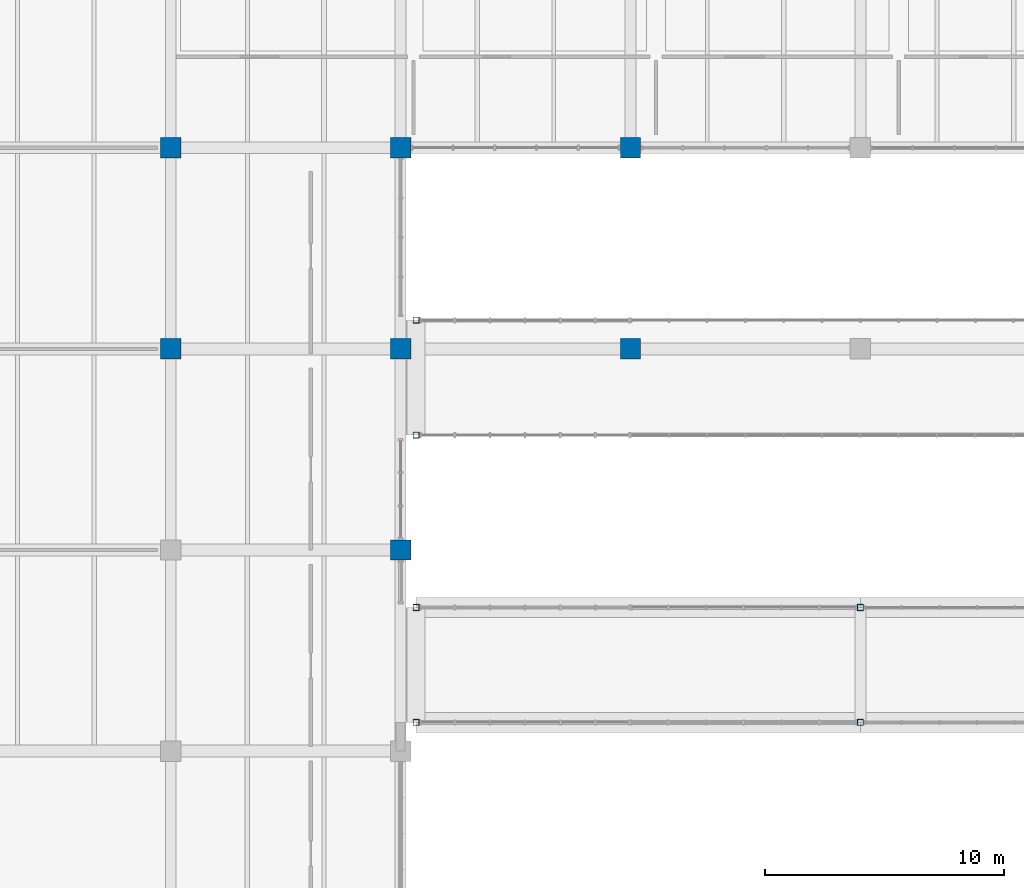
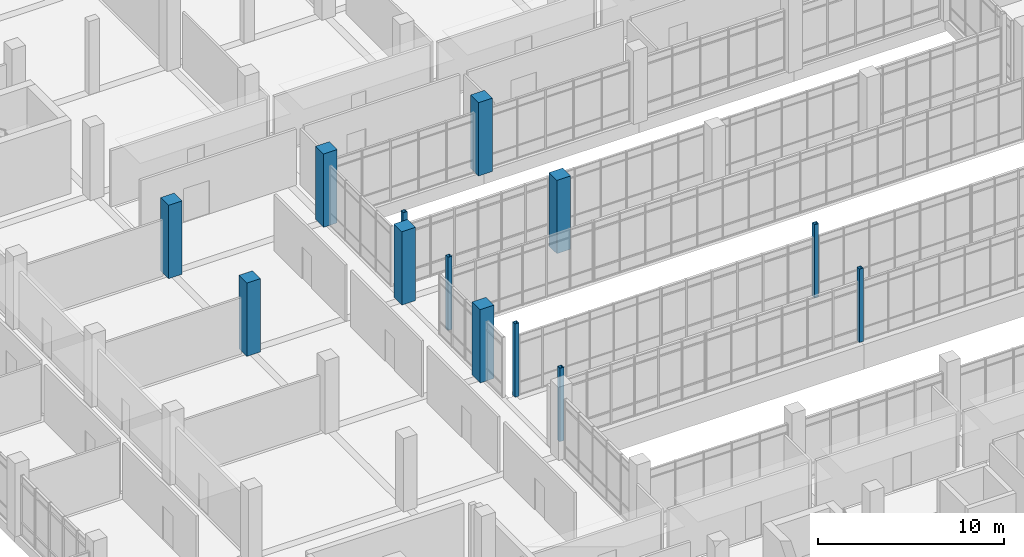
# One storey, part 4 of 152: 13 columns.
"""IFC4 building model written with IfcOpenShell, lengths in metres."""

from ifc_helpers import new_model, si_unit, direction, frame, origin, origin_2d, place, context, subcontext, project, spatial, rectangle, hollow_rectangle, extrude, material, material_profile, profile_set, type_object, element, save


model = new_model("IFC4")

# Units and contexts
model_context = context("Model", 3, precision=1e-05, world=origin(), true_north=direction((0.0, 1.0)))
body_context = subcontext(model_context, "Body", "Model", "MODEL_VIEW")
ifc_project = project(units=[si_unit("LENGTHUNIT", "METRE"), si_unit("AREAUNIT", "SQUARE_METRE"), si_unit("VOLUMEUNIT", "CUBIC_METRE"), si_unit("PLANEANGLEUNIT", "RADIAN"), si_unit("MASSUNIT", "GRAM", prefix="KILO")], contexts=[model_context])

# Site, building, storey
site_placement = place(None, origin())
site = spatial("IfcSite", under=ifc_project, at=site_placement, CompositionType="ELEMENT")
building_placement = place(site_placement, origin())
building = spatial("IfcBuilding", under=site, at=building_placement, Name="Oolite Switchyard Hospital", CompositionType="ELEMENT")
storey_placement = place(building_placement, frame((0.0, 0.0, 5.10009765625)))
storey = spatial("IfcBuildingStorey", under=building, at=storey_placement, Name="L01", CompositionType="ELEMENT", Elevation=5.10009765625)

# Columns
ifc_material_1 = material(Name="Steel ASTM A500 Grade C", Category="steel")
ifc_material_profile_1 = material_profile(ifc_material_1, hollow_rectangle(XDim=0.25390625, YDim=0.25390625, WallThickness=0.012939453125, at=origin_2d()), Name="HSS254X254X13")
ifc_profile_set_1 = profile_set([ifc_material_profile_1], Name="Steel ASTM A500 Grade C")
column_type_1 = type_object("IfcColumnType", Name="COL-HSS254", PredefinedType="COLUMN", material=ifc_profile_set_1)
for number, where, z_axis, x_axis, name in (
    (1, (144.64990234375, 34.800048828125, 0.0), (0.0, 0.0, 1.0), (1.0, 0.0, 0.0), "L01 Column 539"),
    (2, (144.64990234375, 39.60009765625, 0.0), (0.0, 0.0, 1.0), (1.0, 0.0, 0.0), "L01 Column 540"),
    (3, (144.64990234375, 46.800048828125, 0.0), (0.0, 0.0, 1.0), (1.0, 0.0, 0.0), "L01 Column 541"),
    (4, (144.64990234375, 51.60009765625, 0.0), (0.0, 0.0, 1.0), (1.0, 0.0, 0.0), "L01 Column 542"),
    (5, (163.199951171875, 34.800048828125, 0.0), (0.0, 0.0, 1.0), (1.0, 0.0, 0.0), "L01 Column 560"),
    (6, (163.199951171875, 39.60009765625, 0.0), (0.0, 0.0, 1.0), (1.0, 0.0, 0.0), "L01 Column 561"),
):
    element("IfcColumn", number, at=place(storey_placement, frame(where, z_axis=z_axis, x_axis=x_axis)), inside=storey, type_object=column_type_1, Name=name, PredefinedType="COLUMN", context=body_context, shape_type="SweptSolid", body=[
        extrude(hollow_rectangle(XDim=0.25390625, YDim=0.25390625, WallThickness=0.012939453125, at=origin_2d()), origin(), (0.0, 0.0, 1.0), 4.7998046875),
    ])
ifc_material_2 = material(Name="Concrete C50/60", Category="concrete")
ifc_material_profile_2 = material_profile(ifc_material_2, rectangle(XDim=0.85009765625, YDim=0.85009765625, at=origin_2d()), Name="RC850X850")
ifc_profile_set_2 = profile_set([ifc_material_profile_2], Name="Concrete C50/60")
column_type_2 = type_object("IfcColumnType", Name="COL-RC850", PredefinedType="COLUMN", material=ifc_profile_set_2)
for number, where, z_axis, x_axis, name in (
    (7, (134.39990234375, 50.39990234375, 0.0), (0.0, 0.0, 1.0), (1.0, 0.0, 0.0), "L01 Column 512"),
    (8, (134.39990234375, 58.800048828125, 0.0), (0.0, 0.0, 1.0), (1.0, 0.0, 0.0), "L01 Column 513"),
    (9, (144.0, 42.0, 0.0), (0.0, 0.0, 1.0), (1.0, 0.0, 0.0), "L01 Column 527"),
    (10, (144.0, 50.39990234375, 0.0), (0.0, 0.0, 1.0), (1.0, 0.0, 0.0), "L01 Column 528"),
    (11, (144.0, 58.800048828125, 0.0), (0.0, 0.0, 1.0), (1.0, 0.0, 0.0), "L01 Column 529"),
    (12, (153.60009765625, 50.39990234375, 0.0), (0.0, 0.0, 1.0), (1.0, 0.0, 0.0), "L01 Column 546"),
    (13, (153.60009765625, 58.800048828125, 0.0), (0.0, 0.0, 1.0), (1.0, 0.0, 0.0), "L01 Column 547"),
):
    element("IfcColumn", number, at=place(storey_placement, frame(where, z_axis=z_axis, x_axis=x_axis)), inside=storey, type_object=column_type_2, Name=name, PredefinedType="COLUMN", context=body_context, shape_type="SweptSolid", body=[
        extrude(rectangle(XDim=0.85009765625, YDim=0.85009765625, at=origin_2d()), origin(), (0.0, 0.0, 1.0), 4.7998046875),
    ])

save(model, "model.ifc")
